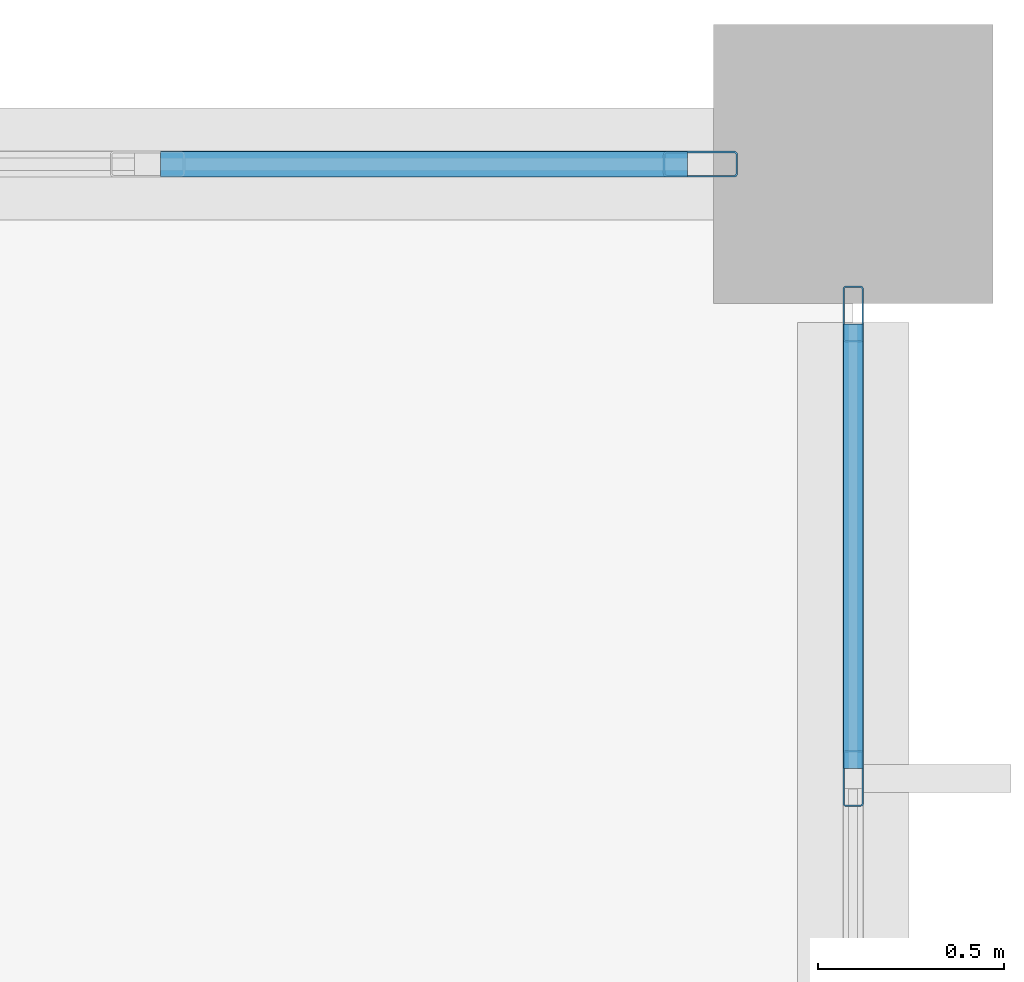
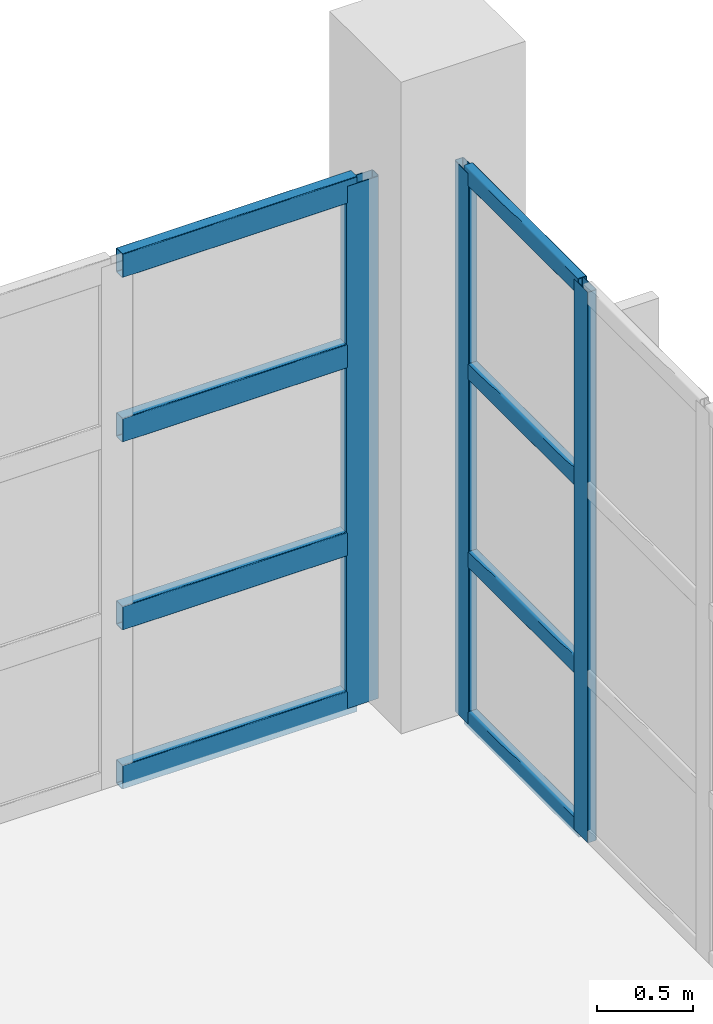
# One storey, part 78 of 177: 11 members, 2 elements without a shape of their own.
"""IFC4 building model written with IfcOpenShell, lengths in metres."""

from ifc_helpers import new_model, si_unit, direction, frame, origin, origin_2d, place, context, subcontext, project, spatial, hollow_rectangle, extrude, material, layer, layer_set, material_profile, profile_set, type_object, element, aggregate, save


model = new_model("IFC4")

# Units and contexts
model_context = context("Model", 3, precision=1e-05, world=origin(), true_north=direction((0.0, 1.0)))
body_context = subcontext(model_context, "Body", "Model", "MODEL_VIEW")
ifc_project = project(units=[si_unit("LENGTHUNIT", "METRE"), si_unit("AREAUNIT", "SQUARE_METRE"), si_unit("VOLUMEUNIT", "CUBIC_METRE"), si_unit("PLANEANGLEUNIT", "RADIAN"), si_unit("MASSUNIT", "GRAM", prefix="KILO"), si_unit("THERMODYNAMICTEMPERATUREUNIT", "KELVIN"), si_unit("POWERUNIT", "WATT")], contexts=[model_context])

# Site, building, storey
site_placement = place(None, origin())
site = spatial("IfcSite", under=ifc_project, at=site_placement, CompositionType="ELEMENT")
building_placement = place(site_placement, origin())
building = spatial("IfcBuilding", under=site, at=building_placement, Name="Mavoryth Pier Ferry Terminal", CompositionType="ELEMENT")
storey_placement = place(building_placement, frame((0.0, 0.0, 5.43994140625)))
storey = spatial("IfcBuildingStorey", under=building, at=storey_placement, Name="L01", CompositionType="ELEMENT", Elevation=5.43994140625)

# Curtain wall, members
ifc_material_1 = material(Name="Anodised Aluminium and Solar-Control Low-E Glass", Category="aluminium")
ifc_layer_1 = layer(ifc_material_1, 0.199951171875, Name="Anodised Aluminium and Solar-Control Low-E Glass", Category="aluminium")
ifc_layer_set_1 = layer_set([ifc_layer_1], Name="Anodised Aluminium and Solar-Control Low-E Glass - CW-Concourse-Mod1200")
curtain_wall_type_1 = type_object("IfcCurtainWallType", Name="CW-Concourse-Mod1200", PredefinedType="USERDEFINED", material=ifc_layer_set_1)
curtain_wall_1_placement = place(storey_placement, origin())
curtain_wall_1 = element("IfcCurtainWall", 1, at=curtain_wall_1_placement, inside=storey, type_object=curtain_wall_type_1, Name="Curtain Wall CW-0111-033", ObjectType="UNITISED CURTAIN WALL", PredefinedType="USERDEFINED")
ifc_material_2 = material(Name="Anodised Aluminium EN AW-6063", Category="aluminium")
ifc_material_profile_1 = material_profile(ifc_material_2, hollow_rectangle(XDim=0.054931640625, YDim=0.14990234375, WallThickness=0.00390625, InnerFilletRadius=0.00390625, OuterFilletRadius=0.008056640625, at=origin_2d()), Name="AL-MULL 150x55x4", Category="aluminium")
ifc_profile_set_1 = profile_set([ifc_material_profile_1], Name="Anodised Aluminium EN AW-6063 - AL-MULL 150x55x4")
member_type_1 = type_object("IfcMemberType", Name="Mullion-Alum-150x55", PredefinedType="MULLION", material=ifc_profile_set_1)
member_1_placement = place(storey_placement, frame((33.60009765625, 104.35009765625, 0.0), z_axis=(0.0, 0.0, 1.0), x_axis=(-1.0, 0.0, 0.0)))
member_1 = element("IfcMember", 2, at=member_1_placement, type_object=member_type_1, Name="CW02 mullion 6", PredefinedType="MULLION", context=body_context, shape_type="SweptSolid", body=[
    extrude(hollow_rectangle(XDim=0.054931640625, YDim=0.14990234375, WallThickness=0.00390625, InnerFilletRadius=0.00390625, OuterFilletRadius=0.008056640625, at=origin_2d()), origin(), (0.0, 0.0, 1.0), 3.51513671875),
])
member_2_placement = place(storey_placement, frame((33.60009765625, 105.597412109375, 0.0), z_axis=(0.0, 0.0, 1.0), x_axis=(-1.0, 0.0, 0.0)))
member_2 = element("IfcMember", 3, at=member_2_placement, type_object=member_type_1, Name="CW02 mullion 7", PredefinedType="MULLION", context=body_context, shape_type="SweptSolid", body=[
    extrude(hollow_rectangle(XDim=0.054931640625, YDim=0.14990234375, WallThickness=0.00390625, InnerFilletRadius=0.00390625, OuterFilletRadius=0.008056640625, at=origin_2d()), origin(), (0.0, 0.0, 1.0), 3.51513671875),
])

# Curtain wall, member
ifc_layer_2 = layer(ifc_material_1, 0.219970703125, Name="Anodised Aluminium and Solar-Control Low-E Glass", Category="aluminium")
ifc_layer_set_2 = layer_set([ifc_layer_2], Name="Anodised Aluminium and Solar-Control Low-E Glass - CW-Seaward-Tall-Mod1400")
curtain_wall_type_2 = type_object("IfcCurtainWallType", Name="CW-Seaward-Tall-Mod1400", PredefinedType="USERDEFINED", material=ifc_layer_set_2)
curtain_wall_2_placement = place(storey_placement, origin())
curtain_wall_2 = element("IfcCurtainWall", 4, at=curtain_wall_2_placement, inside=storey, type_object=curtain_wall_type_2, Name="Curtain Wall CW-0144-046", ObjectType="UNITISED CURTAIN WALL", PredefinedType="USERDEFINED")
ifc_material_profile_2 = material_profile(ifc_material_2, hollow_rectangle(XDim=0.070068359375, YDim=0.199951171875, WallThickness=0.0048828125, InnerFilletRadius=0.0048828125, OuterFilletRadius=0.010009765625, at=origin_2d()), Name="AL-MULL 200x70x5", Category="aluminium")
ifc_profile_set_2 = profile_set([ifc_material_profile_2], Name="Anodised Aluminium EN AW-6063 - AL-MULL 200x70x5")
member_type_2 = type_object("IfcMemberType", Name="Mullion-Alum-200x70", PredefinedType="MULLION", material=ifc_profile_set_2)
member_3_placement = place(storey_placement, frame((33.18994140625, 106.0, 0.0), z_axis=(0.0, 0.0, 1.0), x_axis=(0.0, -1.0, 0.0)))
member_3 = element("IfcMember", 5, at=member_3_placement, type_object=member_type_2, Name="CW03 mullion 1", PredefinedType="MULLION", context=body_context, shape_type="SweptSolid", body=[
    extrude(hollow_rectangle(XDim=0.070068359375, YDim=0.199951171875, WallThickness=0.0048828125, InnerFilletRadius=0.0048828125, OuterFilletRadius=0.010009765625, at=origin_2d()), origin(), (0.0, 0.0, 1.0), 3.3349609375),
])

# Member
ifc_material_profile_3 = material_profile(ifc_material_2, hollow_rectangle(XDim=0.054931640625, YDim=0.110107421875, WallThickness=0.00390625, InnerFilletRadius=0.00390625, OuterFilletRadius=0.008056640625, at=origin_2d()), Name="AL-TRAN 110x55x4", Category="aluminium")
ifc_profile_set_3 = profile_set([ifc_material_profile_3], Name="Anodised Aluminium EN AW-6063 - AL-TRAN 110x55x4")
member_type_3 = type_object("IfcMemberType", Name="Transom-Alum-110x55", PredefinedType="USERDEFINED", material=ifc_profile_set_3)
member_4_placement = place(storey_placement, frame((33.60009765625, 104.37744140625, 0.027587890625), z_axis=(0.0, 1.0, 0.0), x_axis=(-1.0, 0.0, 0.0)))
member_4 = element("IfcMember", 6, at=member_4_placement, type_object=member_type_3, Name="CW02 transom 6.1", ObjectType="TRANSOM", PredefinedType="USERDEFINED", context=body_context, shape_type="SweptSolid", body=[
    extrude(hollow_rectangle(XDim=0.054931640625, YDim=0.110107421875, WallThickness=0.00390625, InnerFilletRadius=0.00390625, OuterFilletRadius=0.008056640625, at=origin_2d()), origin(), (0.0, 0.0, 1.0), 1.192626953125),
])

member_5_placement = place(storey_placement, frame((33.60009765625, 104.37744140625, 1.050048828125), z_axis=(0.0, 1.0, 0.0), x_axis=(-1.0, 0.0, 0.0)))
member_5 = element("IfcMember", 7, at=member_5_placement, type_object=member_type_3, Name="CW02 transom 6.2", ObjectType="TRANSOM", PredefinedType="USERDEFINED", context=body_context, shape_type="SweptSolid", body=[
    extrude(hollow_rectangle(XDim=0.054931640625, YDim=0.110107421875, WallThickness=0.00390625, InnerFilletRadius=0.00390625, OuterFilletRadius=0.008056640625, at=origin_2d()), origin(), (0.0, 0.0, 1.0), 1.192626953125),
])

member_6_placement = place(storey_placement, frame((33.60009765625, 104.37744140625, 2.25), z_axis=(0.0, 1.0, 0.0), x_axis=(-1.0, 0.0, 0.0)))
member_6 = element("IfcMember", 8, at=member_6_placement, type_object=member_type_3, Name="CW02 transom 6.3", ObjectType="TRANSOM", PredefinedType="USERDEFINED", context=body_context, shape_type="SweptSolid", body=[
    extrude(hollow_rectangle(XDim=0.054931640625, YDim=0.110107421875, WallThickness=0.00390625, InnerFilletRadius=0.00390625, OuterFilletRadius=0.008056640625, at=origin_2d()), origin(), (0.0, 0.0, 1.0), 1.192626953125),
])

member_7_placement = place(storey_placement, frame((33.60009765625, 104.37744140625, 3.487548828125), z_axis=(0.0, 1.0, 0.0), x_axis=(-1.0, 0.0, 0.0)))
member_7 = element("IfcMember", 9, at=member_7_placement, type_object=member_type_3, Name="CW02 transom 6.4", ObjectType="TRANSOM", PredefinedType="USERDEFINED", context=body_context, shape_type="SweptSolid", body=[
    extrude(hollow_rectangle(XDim=0.054931640625, YDim=0.110107421875, WallThickness=0.00390625, InnerFilletRadius=0.00390625, OuterFilletRadius=0.008056640625, at=origin_2d()), origin(), (0.0, 0.0, 1.0), 1.192626953125),
])

aggregate(curtain_wall_1, [member_1, member_2, member_4, member_5, member_6, member_7])

ifc_material_profile_4 = material_profile(ifc_material_2, hollow_rectangle(XDim=0.070068359375, YDim=0.155029296875, WallThickness=0.00390625, InnerFilletRadius=0.00390625, OuterFilletRadius=0.008056640625, at=origin_2d()), Name="AL-TRAN 155x70x4", Category="aluminium")
ifc_profile_set_4 = profile_set([ifc_material_profile_4], Name="Anodised Aluminium EN AW-6063 - AL-TRAN 155x70x4")
member_type_4 = type_object("IfcMemberType", Name="Transom-Alum-155x70", PredefinedType="USERDEFINED", material=ifc_profile_set_4)
member_8_placement = place(storey_placement, frame((33.155029296875, 106.0, 0.03515625), z_axis=(-1.0, 0.0, 0.0), x_axis=(0.0, -1.0, 0.0)))
member_8 = element("IfcMember", 10, at=member_8_placement, type_object=member_type_4, Name="CW03 transom 1.1", ObjectType="TRANSOM", PredefinedType="USERDEFINED", context=body_context, shape_type="SweptSolid", body=[
    extrude(hollow_rectangle(XDim=0.070068359375, YDim=0.155029296875, WallThickness=0.00390625, InnerFilletRadius=0.00390625, OuterFilletRadius=0.008056640625, at=origin_2d()), origin(), (0.0, 0.0, 1.0), 1.4150390625),
])

member_9_placement = place(storey_placement, frame((33.155029296875, 106.0, 1.050048828125), z_axis=(-1.0, 0.0, 0.0), x_axis=(0.0, -1.0, 0.0)))
member_9 = element("IfcMember", 11, at=member_9_placement, type_object=member_type_4, Name="CW03 transom 1.2", ObjectType="TRANSOM", PredefinedType="USERDEFINED", context=body_context, shape_type="SweptSolid", body=[
    extrude(hollow_rectangle(XDim=0.070068359375, YDim=0.155029296875, WallThickness=0.00390625, InnerFilletRadius=0.00390625, OuterFilletRadius=0.008056640625, at=origin_2d()), origin(), (0.0, 0.0, 1.0), 1.4150390625),
])

member_10_placement = place(storey_placement, frame((33.155029296875, 106.0, 2.25), z_axis=(-1.0, 0.0, 0.0), x_axis=(0.0, -1.0, 0.0)))
member_10 = element("IfcMember", 12, at=member_10_placement, type_object=member_type_4, Name="CW03 transom 1.3", ObjectType="TRANSOM", PredefinedType="USERDEFINED", context=body_context, shape_type="SweptSolid", body=[
    extrude(hollow_rectangle(XDim=0.070068359375, YDim=0.155029296875, WallThickness=0.00390625, InnerFilletRadius=0.00390625, OuterFilletRadius=0.008056640625, at=origin_2d()), origin(), (0.0, 0.0, 1.0), 1.4150390625),
])

member_11_placement = place(storey_placement, frame((33.155029296875, 106.0, 3.300048828125), z_axis=(-1.0, 0.0, 0.0), x_axis=(0.0, -1.0, 0.0)))
member_11 = element("IfcMember", 13, at=member_11_placement, type_object=member_type_4, Name="CW03 transom 1.4", ObjectType="TRANSOM", PredefinedType="USERDEFINED", context=body_context, shape_type="SweptSolid", body=[
    extrude(hollow_rectangle(XDim=0.070068359375, YDim=0.155029296875, WallThickness=0.00390625, InnerFilletRadius=0.00390625, OuterFilletRadius=0.008056640625, at=origin_2d()), origin(), (0.0, 0.0, 1.0), 1.4150390625),
])

aggregate(curtain_wall_2, [member_3, member_8, member_9, member_10, member_11])

save(model, "model.ifc")
